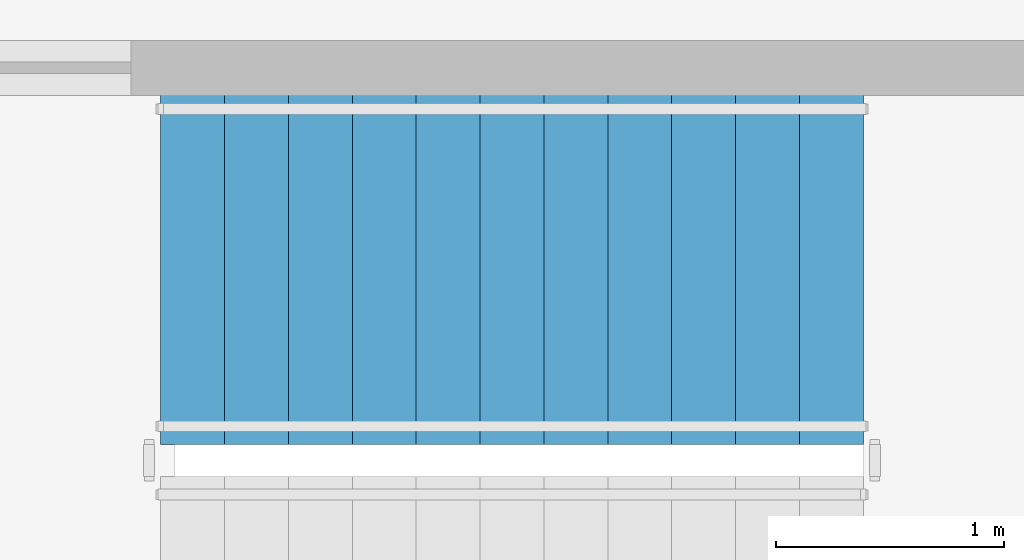
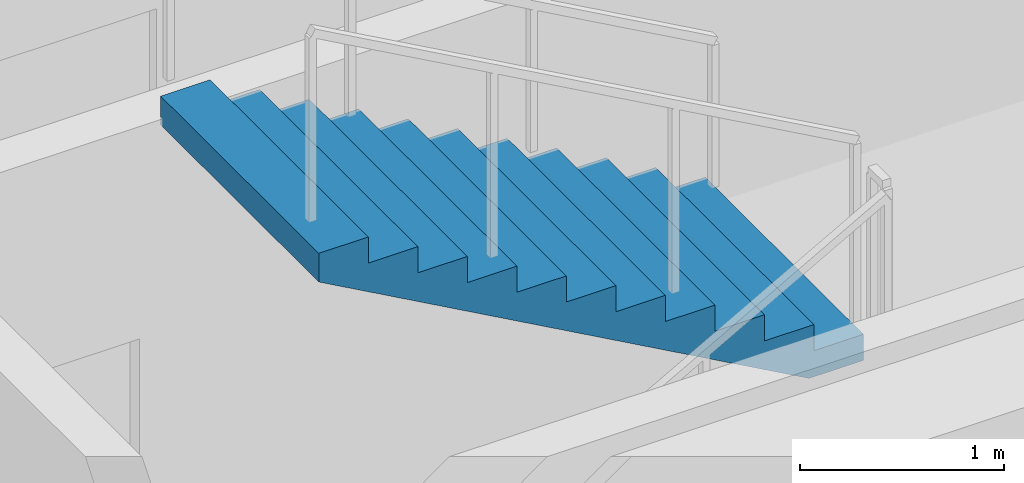
# One storey, part 8 of 9: 1 stair flight, 1 element without a shape of its own.
"""IFC4 building model written with IfcOpenShell, lengths in metres."""

from ifc_helpers import new_model, si_unit, direction, frame, origin, place, context, subcontext, project, spatial, polyline, outline, extrude, material, type_object, element, aggregate, save


model = new_model("IFC4")

# Units and contexts
model_context = context("Model", 3, precision=1e-05, world=origin(), true_north=direction((0.0, 1.0)))
body_context = subcontext(model_context, "Body", "Model", "MODEL_VIEW")
ifc_project = project(units=[si_unit("LENGTHUNIT", "METRE"), si_unit("AREAUNIT", "SQUARE_METRE"), si_unit("VOLUMEUNIT", "CUBIC_METRE"), si_unit("PLANEANGLEUNIT", "RADIAN"), si_unit("MASSUNIT", "GRAM", prefix="KILO")], contexts=[model_context])

# Site, building, storey
site_placement = place(None, origin())
site = spatial("IfcSite", under=ifc_project, at=site_placement, CompositionType="ELEMENT")
building_placement = place(site_placement, origin())
building = spatial("IfcBuilding", under=site, at=building_placement, Name="Liaohun Quay Tower", CompositionType="ELEMENT")
storey_placement = place(building_placement, frame((0.0, 0.0, 228.0)))
storey = spatial("IfcBuildingStorey", under=building, at=storey_placement, Name="L59", CompositionType="ELEMENT", Elevation=228.0)

# Stair, stair flight
ifc_material = material(Name="Concrete C45", Category="concrete")
stair_type = type_object("IfcStairType", Name="STR-CORE-OFF", PredefinedType="HALF_TURN_STAIR", material=ifc_material)
stair_placement = place(storey_placement, origin())
stair = element("IfcStair", 1, at=stair_placement, inside=storey, type_object=stair_type, Name="L59 Smokeproof Core Exit Stair ST-3", PredefinedType="HALF_TURN_STAIR")
stair_flight_type = type_object("IfcStairFlightType", Name="FLT-CORE-155", PredefinedType="STRAIGHT", material=ifc_material)
stair_flight_placement = place(storey_placement, frame((59.22998046875, 64.6650390625, 1.875), z_axis=(0.0, 0.0, 1.0), x_axis=(-1.0, 0.0, 0.0)))
stair_flight = element("IfcStairFlight", 2, at=stair_flight_placement, type_object=stair_flight_type, Name="ST-3 flight 2", NumberOfRisers=12, NumberOfTreads=11, PredefinedType="STRAIGHT", RiserHeight=0.15625, TreadLength=0.28, context=body_context, shape_type="SweptSolid", body=[
    extrude(outline(polyline([(0.0, 0.0), (0.0, 0.15625), (0.280029296875, 0.15625), (0.280029296875, 0.3125), (0.56005859375, 0.3125), (0.56005859375, 0.46875), (0.840087890625, 0.46875), (0.840087890625, 0.625), (1.1201171875, 0.625), (1.1201171875, 0.78125), (1.39990234375, 0.78125), (1.39990234375, 0.9375), (1.679931640625, 0.9375), (1.679931640625, 1.09375), (1.9599609375, 1.09375), (1.9599609375, 1.25), (2.239990234375, 1.25), (2.239990234375, 1.40625), (2.52001953125, 1.40625), (2.52001953125, 1.5625), (2.800048828125, 1.5625), (2.800048828125, 1.71875), (3.080078125, 1.71875), (3.080078125, 1.875), (3.080078125, 1.547119140625), (0.3076171875, 0.0), (0.0, 0.0)])), frame((0.0, 0.77490234375, 0.0), z_axis=(0.0, -1.0, 0.0), x_axis=(1.0, 0.0, 0.0)), (0.0, 0.0, 1.0), 1.550048828125),
])
aggregate(stair, [stair_flight])

save(model, "model.ifc")
